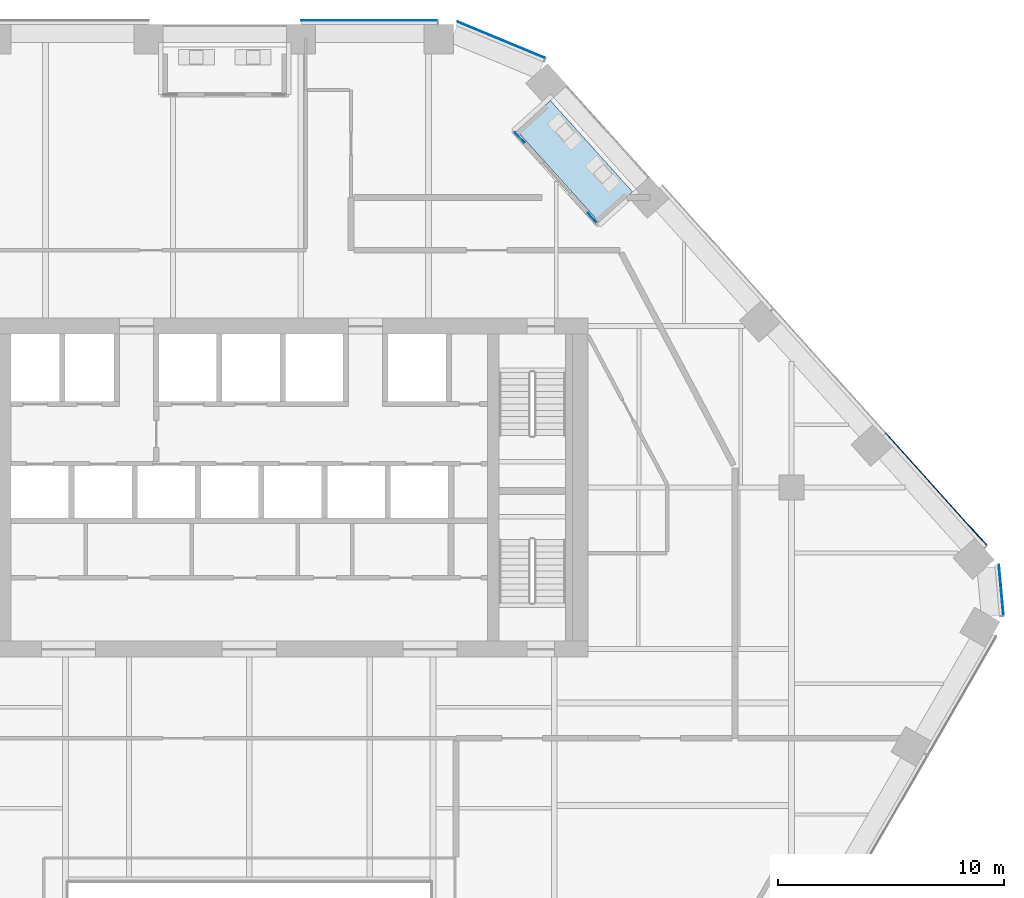
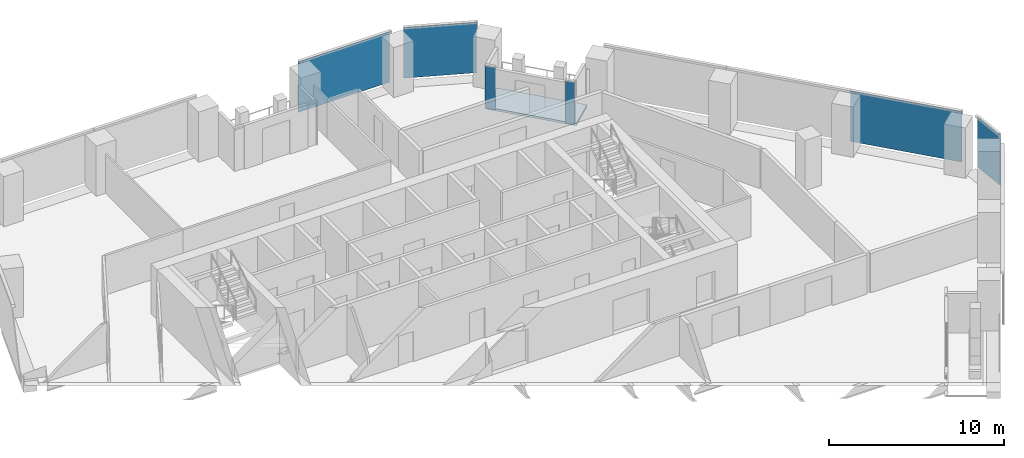
# One storey, part 17 of 25: 6 plates, 1 slab, 5 elements without a shape of their own.
"""IFC4 building model written with IfcOpenShell, lengths in metres."""

import ifcopenshell
import ifcopenshell.guid

model = None  # the IFC model being written
_history = None  # IfcOwnerHistory: only IFC2X3 demands one
_inside = {}  # id of a spatial element -> (the spatial element, [elements in it])
_under = {}  # id of a project, library or spatial element -> (it, [spatial elements below it])
_declared = {}  # id of a project -> (the project, [libraries it declares])
_typed = {}  # id of a type object -> (the type object, [elements of that type])
_made_of = {}  # id of a material, layer set ... -> (it, [elements and type objects made of it])


def new_model(schema):
    """Start an empty IFC model of exactly this schema.

    Asked for "IFC4X3", IfcOpenShell would pick the latest addendum, in which some entities
    have other attributes; the version numbers below select the first issue.
    IFC2X3 requires an IfcOwnerHistory on every rooted entity: one is made here for all.
    """
    global model, _history
    if schema == "IFC4X3":
        model = ifcopenshell.file(schema_version=(4, 3, 0, 0))
    else:
        model = ifcopenshell.file(schema=schema)
    _inside.clear()
    _under.clear()
    _declared.clear()
    _typed.clear()
    _made_of.clear()
    _history = None
    if model.schema == "IFC2X3":
        org = make("IfcOrganization", Name="unknown")
        user = make(
            "IfcPersonAndOrganization",
            ThePerson=make("IfcPerson", FamilyName="unknown"),
            TheOrganization=org,
        )
        app = make(
            "IfcApplication",
            ApplicationDeveloper=org,
            Version="unknown",
            ApplicationFullName="unknown",
            ApplicationIdentifier="unknown",
        )
        _history = make(
            "IfcOwnerHistory",
            OwningUser=user,
            OwningApplication=app,
            ChangeAction="ADDED",
            CreationDate=0,
        )
    return model


def make(cls, **values):
    """One entity of the class cls with the attributes given. An attribute that is None is left unset."""
    return model.create_entity(
        cls, **{name: value for name, value in values.items() if value is not None}
    )


def rooted(cls, **values):
    """An entity with a GlobalId (a new one), such as an element, a storey or a relation."""
    return make(cls, GlobalId=ifcopenshell.guid.new(), OwnerHistory=_history, **values)


def si_unit(unit_type, name, prefix=None):
    """IfcSIUnit, for example si_unit("LENGTHUNIT", "METRE", prefix="MILLI")."""
    return make("IfcSIUnit", UnitType=unit_type, Prefix=prefix, Name=name)


def assignment(units):
    """IfcUnitAssignment: the units of a project."""
    return None if units is None else make("IfcUnitAssignment", Units=units)


def point(xyz):
    """IfcCartesianPoint."""
    return None if xyz is None else make("IfcCartesianPoint", Coordinates=xyz)


def direction(xyz):
    """IfcDirection."""
    return None if xyz is None else make("IfcDirection", DirectionRatios=xyz)


def frame(location, z_axis=None, x_axis=None):
    """IfcAxis2Placement3D, a coordinate frame: its origin and axes. An axis left out is left unset."""
    return make(
        "IfcAxis2Placement3D",
        Location=point(location),
        Axis=direction(z_axis),
        RefDirection=direction(x_axis),
    )


def frame_2d(location, x_axis=None):
    """IfcAxis2Placement2D, a coordinate frame in the plane: its origin and x axis."""
    return make(
        "IfcAxis2Placement2D", Location=point(location), RefDirection=direction(x_axis)
    )


def origin():
    """The frame at (0, 0, 0) with its axes left unset."""
    return frame((0.0, 0.0, 0.0))


def origin_2d():
    """The frame at (0, 0) in the plane with its x axis left unset."""
    return frame_2d((0.0, 0.0))


def place(relative_to, where):
    """IfcLocalPlacement: puts the frame where relative to a parent placement (None: the world)."""
    return make(
        "IfcLocalPlacement", PlacementRelTo=relative_to, RelativePlacement=where
    )


def context(
    kind, dimensions, precision=None, world=None, true_north=None, identifier=None
):
    """IfcGeometricRepresentationContext, for example the 3D "Model" context."""
    return make(
        "IfcGeometricRepresentationContext",
        ContextIdentifier=identifier,
        ContextType=kind,
        CoordinateSpaceDimension=dimensions,
        Precision=precision,
        WorldCoordinateSystem=world,
        TrueNorth=true_north,
    )


def subcontext(parent, identifier, kind, view, scale=None):
    """IfcGeometricRepresentationSubContext, for example "Body" below "Model"."""
    return make(
        "IfcGeometricRepresentationSubContext",
        ContextIdentifier=identifier,
        ContextType=kind,
        ParentContext=parent,
        TargetScale=scale,
        TargetView=view,
    )


def project(units=None, contexts=None):
    """IfcProject with its units and contexts."""
    return rooted(
        "IfcProject",
        Name="project",
        RepresentationContexts=contexts,
        UnitsInContext=assignment(units),
    )


def spatial(cls, under=None, at=None, **own):
    """A site, building, storey or space (cls), placed at a placement, below another one or the project."""
    s = rooted(cls, ObjectPlacement=at, **own)
    if under is not None:
        _under.setdefault(under.id(), (under, []))[1].append(s)
    return s


def polyline(points):
    """IfcPolyline through the points."""
    return make("IfcPolyline", Points=[point(p) for p in points])


def profile(cls, at=None, kind="AREA", **sizes):
    """A parametric profile (cls). Its sizes go by their IFC names, for example OverallWidth=200.0."""
    return make(cls, ProfileType=kind, Position=at, **sizes)


def rectangle(**sizes):
    """IfcRectangleProfileDef."""
    return profile("IfcRectangleProfileDef", **sizes)


def outline(outer, holes=None, kind="AREA"):
    """IfcArbitraryClosedProfileDef: a profile drawn as a closed curve; with holes, ...WithVoids."""
    if holes is None:
        return make("IfcArbitraryClosedProfileDef", ProfileType=kind, OuterCurve=outer)
    return make(
        "IfcArbitraryProfileDefWithVoids",
        ProfileType=kind,
        OuterCurve=outer,
        InnerCurves=holes,
    )


def extrude(swept, where, along, depth):
    """IfcExtrudedAreaSolid: the profile swept, set in the frame where, extruded along a direction by depth."""
    return make(
        "IfcExtrudedAreaSolid",
        SweptArea=swept,
        Position=where,
        ExtrudedDirection=direction(along),
        Depth=depth,
    )


def shape(context_of_items, identifier, shape_type, items):
    """IfcShapeRepresentation: the items that make up one representation, for example the "Body"."""
    return make(
        "IfcShapeRepresentation",
        ContextOfItems=context_of_items,
        RepresentationIdentifier=identifier,
        RepresentationType=shape_type,
        Items=items,
    )


def material(Name=None, Category=None):
    """IfcMaterial."""
    return make("IfcMaterial", Name=Name, Category=Category)


def layer(
    of_material, thickness, ventilated=None, Name=None, Category=None, Priority=None
):
    """IfcMaterialLayer: one layer of a wall or slab, of a material (None: an air gap)."""
    return make(
        "IfcMaterialLayer",
        Material=of_material,
        LayerThickness=thickness,
        IsVentilated=ventilated,
        Name=Name,
        Category=Category,
        Priority=Priority,
    )


def layer_set(layers, Name=None):
    """IfcMaterialLayerSet."""
    return make("IfcMaterialLayerSet", MaterialLayers=layers, LayerSetName=Name)


def made_of(thing, what):
    """Note that an element or type object is made of a material, layer set ...; save() writes the relation."""
    if what is not None:
        _made_of.setdefault(what.id(), (what, []))[1].append(thing)
    return thing


def type_object(cls, material=None, **own):
    """A type object (cls), such as IfcWallType, which elements share."""
    return made_of(rooted(cls, **own), material)


def element(
    cls,
    number,
    at=None,
    inside=None,
    cuts=None,
    type_object=None,
    material=None,
    context=None,
    identifier="Body",
    shape_type=None,
    held_by="IfcProductDefinitionShape",
    body=None,
    shapes=None,
    **own,
):
    """One element of the class cls, such as IfcWall. Its Tag is "e" and its number.

    at: its placement. inside: the storey or other place that contains it. cuts: it is an
    opening in that element (IfcRelVoidsElement). A single representation is given by context,
    identifier, shape_type and body (its items); several are given by shapes. held_by: the class
    of the entity that holds the representations. save() writes the other relations.
    """
    e = rooted(cls, Tag="e%d" % number, ObjectPlacement=at, **own)
    if body is not None:
        shapes = [shape(context, identifier, shape_type, body)]
    if shapes is not None:
        e.Representation = make(held_by, Representations=shapes)
    if inside is not None:
        _inside.setdefault(inside.id(), (inside, []))[1].append(e)
    if cuts is not None:
        rooted(
            "IfcRelVoidsElement", RelatingBuildingElement=cuts, RelatedOpeningElement=e
        )
    if type_object is not None:
        _typed.setdefault(type_object.id(), (type_object, []))[1].append(e)
    return made_of(e, material)


def aggregate(whole, parts):
    """IfcRelAggregates: a whole, such as a stair, and the parts it consists of."""
    return rooted("IfcRelAggregates", RelatingObject=whole, RelatedObjects=parts)


def save(model, path):
    """Write the relations noted so far, then the file.

    IfcRelAggregates (storeys below a building ...), IfcRelContainedInSpatialStructure (elements
    in a storey), IfcRelDefinesByType, IfcRelAssociatesMaterial and IfcRelDeclares: one each for
    every whole, place, type object, material and project.
    """
    for whole, parts in _under.values():
        aggregate(whole, parts)
    for where, things in _inside.values():
        rooted(
            "IfcRelContainedInSpatialStructure",
            RelatedElements=things,
            RelatingStructure=where,
        )
    for kind, things in _typed.values():
        rooted("IfcRelDefinesByType", RelatedObjects=things, RelatingType=kind)
    for what, things in _made_of.values():
        rooted("IfcRelAssociatesMaterial", RelatedObjects=things, RelatingMaterial=what)
    for by, libraries in _declared.values():
        rooted("IfcRelDeclares", RelatingContext=by, RelatedDefinitions=libraries)
    model.write(path)


model = new_model("IFC4")

# Units and contexts
model_context = context("Model", 3, precision=1e-05, world=origin(), true_north=direction((0.0, 1.0)))
body_context = subcontext(model_context, "Body", "Model", "MODEL_VIEW")
ifc_project = project(units=[si_unit("LENGTHUNIT", "METRE"), si_unit("AREAUNIT", "SQUARE_METRE"), si_unit("VOLUMEUNIT", "CUBIC_METRE"), si_unit("PLANEANGLEUNIT", "RADIAN"), si_unit("MASSUNIT", "GRAM", prefix="KILO")], contexts=[model_context])

# Site, building, storey
site_placement = place(None, origin())
site = spatial("IfcSite", under=ifc_project, at=site_placement, CompositionType="ELEMENT")
building_placement = place(site_placement, origin())
building = spatial("IfcBuilding", under=site, at=building_placement, Name="Isthmus Gate Tower", CompositionType="ELEMENT")
storey_placement = place(building_placement, frame((0.0, 0.0, 174.449951171875)))
storey = spatial("IfcBuildingStorey", under=building, at=storey_placement, Name="L43", CompositionType="ELEMENT", Elevation=174.449951171875)

# Curtain wall, plate
ifc_material_1 = material(Name="Aluminium, pale champagne anodised", Category="aluminium")
ifc_layer_1 = layer(ifc_material_1, 0.199951171875)
ifc_layer_set_1 = layer_set([ifc_layer_1], Name="CW-1 UNITISED CURTAIN WALL 200 DEEP")
curtain_wall_type_1 = type_object("IfcCurtainWallType", Name="CW-1 UNITISED CURTAIN WALL 200 DEEP", PredefinedType="NOTDEFINED", material=ifc_layer_set_1)
curtain_wall_1_placement = place(storey_placement, origin())
curtain_wall_1 = element("IfcCurtainWall", 1, at=curtain_wall_1_placement, inside=storey, type_object=curtain_wall_type_1, Name="CW-1 N L43", PredefinedType="NOTDEFINED")
ifc_material_2 = material(Name="Laminated low-iron glass, pale blue tint", Category="glass")
ifc_layer_2 = layer(ifc_material_2, 0.035888671875)
ifc_layer_set_2 = layer_set([ifc_layer_2], Name="CW-1 CLEAR GLASS LITE 36")
plate_type_1 = type_object("IfcPlateType", Name="CW-1 CLEAR GLASS LITE 36", PredefinedType="CURTAIN_PANEL", material=ifc_layer_set_2)
plate_1_placement = place(storey_placement, frame((5.30859375, 28.181884765625, 0.0), z_axis=(0.0, 0.0, 1.0), x_axis=(-1.0, 0.0, 0.0)))
plate_1 = element("IfcPlate", 2, at=plate_1_placement, type_object=plate_type_1, Name="CW-1 glass lite", PredefinedType="CURTAIN_PANEL", context=body_context, shape_type="SweptSolid", body=[
    extrude(rectangle(XDim=6.0400390625, YDim=0.035888671875, at=origin_2d()), origin(), (0.0, 0.0, 1.0), 3.510009765625),
])
aggregate(curtain_wall_1, [plate_1])

curtain_wall_2_placement = place(storey_placement, origin())
curtain_wall_2 = element("IfcCurtainWall", 3, at=curtain_wall_2_placement, inside=storey, type_object=curtain_wall_type_1, Name="CW-1 SE-NE L43", PredefinedType="NOTDEFINED")
plate_2_placement = place(storey_placement, frame((33.285888671875, 2.966552734375, 0.0), z_axis=(0.0, 0.0, 1.0), x_axis=(-0.089396669717, 0.995996102123, 0.0)))
plate_2 = element("IfcPlate", 4, at=plate_2_placement, type_object=plate_type_1, Name="CW-1 glass lite", PredefinedType="CURTAIN_PANEL", context=body_context, shape_type="SweptSolid", body=[
    extrude(rectangle(XDim=2.258544921875, YDim=0.035888671875, at=origin_2d()), origin(), (0.0, 0.0, 1.0), 3.510009765625),
])
aggregate(curtain_wall_2, [plate_2])

curtain_wall_3_placement = place(storey_placement, origin())
curtain_wall_3 = element("IfcCurtainWall", 5, at=curtain_wall_3_placement, inside=storey, type_object=curtain_wall_type_1, Name="CW-1 NE L43", PredefinedType="NOTDEFINED")
plate_3_placement = place(storey_placement, frame((30.408447265625, 7.430908203125, 0.0), z_axis=(0.0, 0.0, 1.0), x_axis=(-0.669130606359, 0.743144825477, 0.0)))
plate_3 = element("IfcPlate", 6, at=plate_3_placement, type_object=plate_type_1, Name="CW-1 glass lite", PredefinedType="CURTAIN_PANEL", context=body_context, shape_type="SweptSolid", body=[
    extrude(rectangle(XDim=6.680908203125, YDim=0.035888671875, at=origin_2d()), origin(), (0.0, 0.0, 1.0), 3.510009765625),
])
aggregate(curtain_wall_3, [plate_3])

curtain_wall_4_placement = place(storey_placement, origin())
curtain_wall_4 = element("IfcCurtainWall", 7, at=curtain_wall_4_placement, inside=storey, type_object=curtain_wall_type_1, Name="CW-1 NE-N L43", PredefinedType="NOTDEFINED")
plate_4_placement = place(storey_placement, frame((11.154052734375, 27.3173828125, 0.0), z_axis=(0.0, 0.0, 1.0), x_axis=(-0.923353128387, 0.383951820282, 0.0)))
plate_4 = element("IfcPlate", 8, at=plate_4_placement, type_object=plate_type_1, Name="CW-1 glass lite", PredefinedType="CURTAIN_PANEL", context=body_context, shape_type="SweptSolid", body=[
    extrude(rectangle(XDim=4.181396484375, YDim=0.035888671875, at=origin_2d()), origin(), (0.0, 0.0, 1.0), 3.510009765625),
])
aggregate(curtain_wall_4, [plate_4])

# Curtain wall, plates
ifc_material_3 = material(Name="Aluminium, pale champagne anodised", Category="aluminium")
ifc_layer_3 = layer(ifc_material_3, 0.14990234375)
ifc_layer_set_3 = layer_set([ifc_layer_3], Name="CW-6 LOGGIA BACK WALL GLAZING 150 DEEP")
curtain_wall_type_2 = type_object("IfcCurtainWallType", Name="CW-6 LOGGIA BACK WALL GLAZING 150 DEEP", PredefinedType="NOTDEFINED", material=ifc_layer_set_3)
curtain_wall_5_placement = place(storey_placement, origin())
curtain_wall_5 = element("IfcCurtainWall", 9, at=curtain_wall_5_placement, inside=storey, type_object=curtain_wall_type_2, Name="CW-6 NE L43", PredefinedType="NOTDEFINED")
ifc_material_4 = material(Name="Laminated low-iron glass, clear", Category="glass")
ifc_layer_4 = layer(ifc_material_4, 0.031982421875)
ifc_layer_set_4 = layer_set([ifc_layer_4], Name="CW-6 CLEAR GLASS LITE 32")
plate_type_2 = type_object("IfcPlateType", Name="CW-6 CLEAR GLASS LITE 32", PredefinedType="CURTAIN_PANEL", material=ifc_layer_set_4)
plate_5_placement = place(storey_placement, frame((15.180908203125, 19.43798828125, 0.0), z_axis=(0.0, 0.0, 1.0), x_axis=(-0.669130606359, 0.743144825477, 0.0)))
plate_5 = element("IfcPlate", 10, at=plate_5_placement, type_object=plate_type_2, Name="CW-6 glass lite", PredefinedType="CURTAIN_PANEL", context=body_context, shape_type="SweptSolid", body=[
    extrude(rectangle(XDim=0.560302734375, YDim=0.031982421875, at=origin_2d()), origin(), (0.0, 0.0, 1.0), 2.929931640625),
])
plate_6_placement = place(storey_placement, frame((11.9755859375, 22.997802734375, 0.0), z_axis=(0.0, 0.0, 1.0), x_axis=(-0.669130606359, 0.743144825477, 0.0)))
plate_6 = element("IfcPlate", 11, at=plate_6_placement, type_object=plate_type_2, Name="CW-6 glass lite", PredefinedType="CURTAIN_PANEL", context=body_context, shape_type="SweptSolid", body=[
    extrude(rectangle(XDim=0.620361328125, YDim=0.031982421875, at=origin_2d()), origin(), (0.0, 0.0, 1.0), 2.929931640625),
])
aggregate(curtain_wall_5, [plate_5, plate_6])

# Slab
ifc_material_5 = material(Name="Concrete f'c 50 MPa", Category="concrete")
ifc_layer_5 = layer(ifc_material_5, 0.14990234375)
ifc_layer_set_5 = layer_set([ifc_layer_5], Name="LOGGIA FLOOR SLAB 150")
slab_type = type_object("IfcSlabType", Name="LOGGIA FLOOR SLAB 150", PredefinedType="FLOOR", material=ifc_layer_set_5)
slab_placement = place(storey_placement, frame((0.0, 0.0, -0.14990234375)))
element("IfcSlab", 12, at=slab_placement, inside=storey, type_object=slab_type, Name="LOGGIA FLOOR", PredefinedType="FLOOR", context=body_context, shape_type="SweptSolid", body=[
    extrude(outline(polyline([(16.96923828125, 20.59033203125), (13.32861328125, 24.633544921875), (11.84228515625, 23.29541015625), (15.48291015625, 19.251953125), (16.96923828125, 20.59033203125)])), origin(), (0.0, 0.0, 1.0), 0.14990234375),
])

save(model, "model.ifc")
